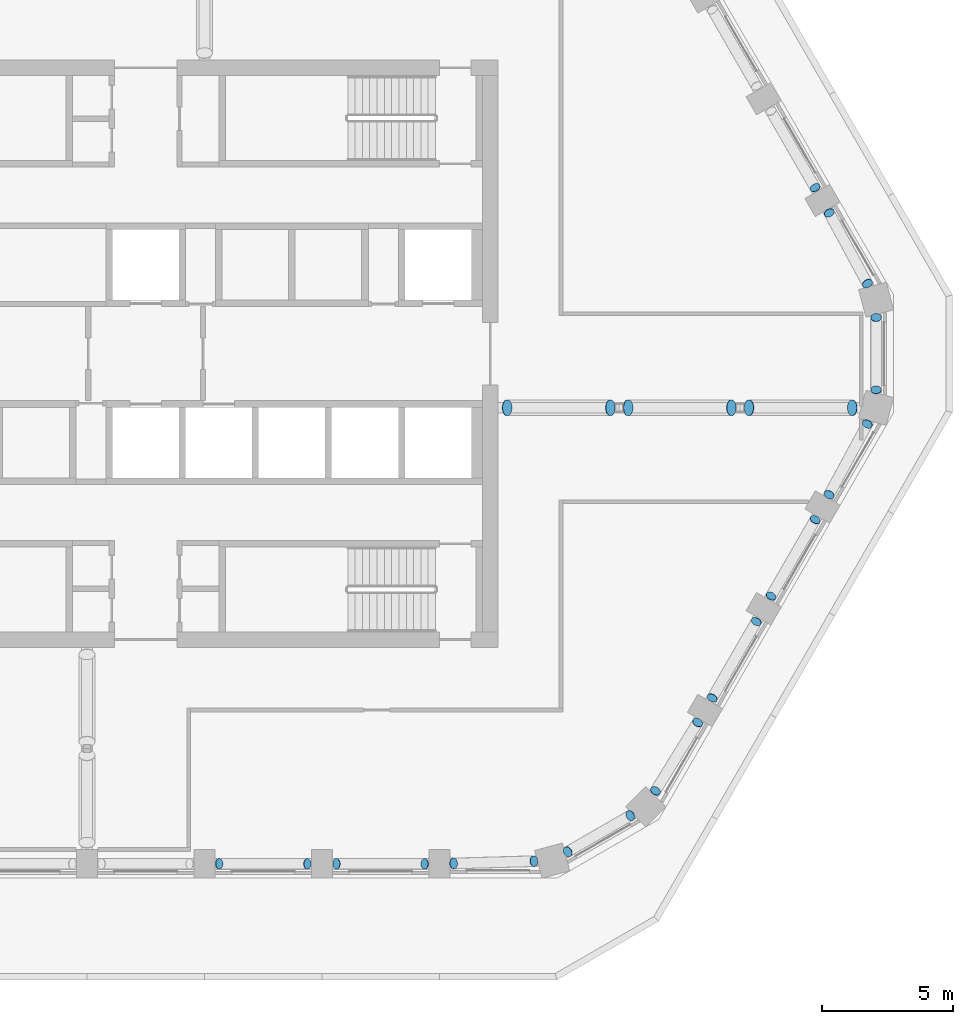
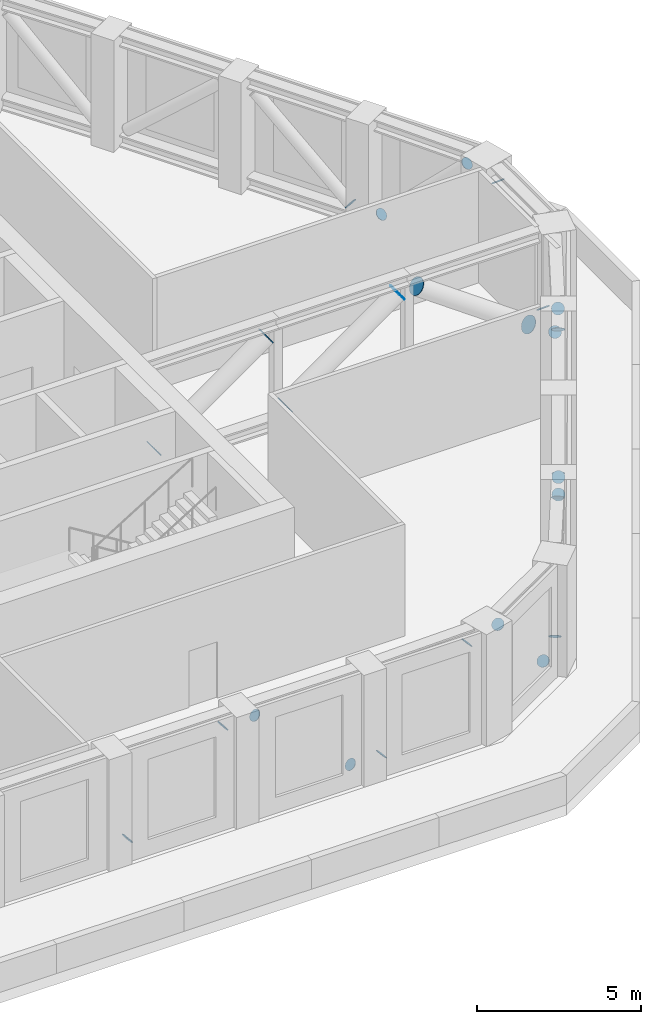
# One storey, part 12 of 15: 27 discrete accessories.
"""IFC4 building model written with IfcOpenShell, lengths in metres."""

from ifc_helpers import new_model, si_unit, direction, frame, origin, origin_2d, place, context, subcontext, project, spatial, circle, extrude, material, material_profile, profile_set, type_object, element, save


model = new_model("IFC4")

# Units and contexts
model_context = context("Model", 3, precision=1e-05, world=origin(), true_north=direction((0.0, 1.0)))
body_context = subcontext(model_context, "Body", "Model", "MODEL_VIEW")
ifc_project = project(units=[si_unit("LENGTHUNIT", "METRE"), si_unit("AREAUNIT", "SQUARE_METRE"), si_unit("VOLUMEUNIT", "CUBIC_METRE"), si_unit("PLANEANGLEUNIT", "RADIAN"), si_unit("MASSUNIT", "GRAM", prefix="KILO")], contexts=[model_context])

# Site, building, storey
site_placement = place(None, origin())
site = spatial("IfcSite", under=ifc_project, at=site_placement, CompositionType="ELEMENT")
building_placement = place(site_placement, origin())
building = spatial("IfcBuilding", under=site, at=building_placement, Name="Dhurran Vertical Campus", CompositionType="ELEMENT")
storey_placement = place(building_placement, frame((0.0, 0.0, 230.699951171875)))
storey = spatial("IfcBuildingStorey", under=building, at=storey_placement, Name="L57 Plant", CompositionType="ELEMENT", Elevation=230.699951171875)

# Discrete accessories
ifc_material_1 = material(Name="Steel S355J2", Category="steel")
ifc_material_profile_1 = material_profile(ifc_material_1, circle(Radius=0.203125, at=origin_2d()), Name="Tube end cap 406 x 20")
ifc_profile_set_1 = profile_set([ifc_material_profile_1], Name="Steel S355J2")
discrete_accessory_type_1 = type_object("IfcDiscreteAccessoryType", Name="Tube end cap 406 x 20", PredefinedType="USERDEFINED", material=ifc_profile_set_1)
discrete_accessory_1_placement = place(storey_placement, frame((2.819580078125, -19.53857421875, 0.586669921875), z_axis=(-0.742688444175, 0.0, -0.669637121797), x_axis=(0.0, -1.0, 0.0)))
element("IfcDiscreteAccessory", 1, at=discrete_accessory_1_placement, inside=storey, type_object=discrete_accessory_type_1, Name="EC1 belt L57 d04 capA", ObjectType="END CAP", PredefinedType="USERDEFINED", context=body_context, shape_type="SweptSolid", body=[
    extrude(circle(Radius=0.203125, at=origin_2d()), origin(), (0.0, 0.0, 1.0), 0.02001953125),
])
discrete_accessory_2_placement = place(storey_placement, frame((6.180419921875, -19.53857421875, 3.588623046875), z_axis=(0.748762225055, 0.0, 0.662838691033), x_axis=(0.0, 1.0, 0.0)))
element("IfcDiscreteAccessory", 2, at=discrete_accessory_2_placement, inside=storey, type_object=discrete_accessory_type_1, Name="EC1 belt L57 d04 capB", ObjectType="END CAP", PredefinedType="USERDEFINED", context=body_context, shape_type="SweptSolid", body=[
    extrude(circle(Radius=0.203125, at=origin_2d()), origin(), (0.0, 0.0, 1.0), 0.019775390625),
])
discrete_accessory_3_placement = place(storey_placement, frame((10.680419921875, -19.53857421875, 0.586669921875), z_axis=(0.742688444175, 0.0, -0.669637121797), x_axis=(0.0, 1.0, 0.0)))
element("IfcDiscreteAccessory", 3, at=discrete_accessory_3_placement, inside=storey, type_object=discrete_accessory_type_1, Name="EC1 belt L57 d05 capA", ObjectType="END CAP", PredefinedType="USERDEFINED", context=body_context, shape_type="SweptSolid", body=[
    extrude(circle(Radius=0.203125, at=origin_2d()), origin(), (0.0, 0.0, 1.0), 0.02001953125),
])
discrete_accessory_4_placement = place(storey_placement, frame((7.319580078125, -19.53857421875, 3.588623046875), z_axis=(-0.748762225055, 0.0, 0.662838691033), x_axis=(0.0, -1.0, 0.0)))
element("IfcDiscreteAccessory", 4, at=discrete_accessory_4_placement, inside=storey, type_object=discrete_accessory_type_1, Name="EC1 belt L57 d05 capB", ObjectType="END CAP", PredefinedType="USERDEFINED", context=body_context, shape_type="SweptSolid", body=[
    extrude(circle(Radius=0.203125, at=origin_2d()), origin(), (0.0, 0.0, 1.0), 0.019775390625),
])
for number, where, z_axis, x_axis, name in (
    (5, (11.796875, -19.522705078125, 0.579833984375), (-0.706896676656, -0.024375747471, -0.706896676656), (0.03446227584, -0.999405999354, 0.0), "EC1 belt L57 d06 capA"),
    (6, (14.857421875, -19.435302734375, 3.59521484375), (0.706896676656, 0.024375747471, 0.706896676656), (-0.03446227584, 0.999405999354, 0.0), "EC1 belt L57 d06 capB"),
):
    element("IfcDiscreteAccessory", number, at=place(storey_placement, frame(where, z_axis=z_axis, x_axis=x_axis)), inside=storey, type_object=discrete_accessory_type_1, Name=name, ObjectType="END CAP", PredefinedType="USERDEFINED", context=body_context, shape_type="SweptSolid", body=[
        extrude(circle(Radius=0.203125, at=origin_2d()), origin(), (0.0, 0.0, 1.0), 0.02001953125),
    ])
for number, where, z_axis, x_axis, name in (
    (7, (18.553466796875, -17.69189453125, 0.571533203125), (0.589367574947, 0.331519260908, -0.736709468684), (-0.490261239633, 0.871575537125, 0.0), "EC1 belt L57 d07 capA"),
    (8, (16.169921875, -19.068115234375, 3.603515625), (-0.589367574947, -0.331519260908, 0.736709468684), (0.490261239633, -0.871575537125, 0.0), "EC1 belt L57 d07 capB"),
):
    element("IfcDiscreteAccessory", number, at=place(storey_placement, frame(where, z_axis=z_axis, x_axis=x_axis)), inside=storey, type_object=discrete_accessory_type_1, Name=name, ObjectType="END CAP", PredefinedType="USERDEFINED", context=body_context, shape_type="SweptSolid", body=[
        extrude(circle(Radius=0.203125, at=origin_2d()), origin(), (0.0, 0.0, 1.0), 0.019775390625),
    ])
for number, where, z_axis, x_axis, name in (
    (9, (19.527587890625, -16.739013671875, 0.579833984375), (-0.367469397963, -0.600200016674, -0.710440836063), (0.852851304076, -0.522153859639, 0.0), "EC1 belt L57 d08 capA"),
    (10, (21.1337890625, -14.132080078125, 3.59521484375), (0.367469397963, 0.600200016674, 0.710440836063), (-0.852851304076, 0.522153859639, 0.0), "EC1 belt L57 d08 capB"),
    (11, (23.385986328125, -10.262451171875, 0.586669921875), (0.365581911, 0.645861376099, -0.670233503499), (-0.870256855071, 0.492598219852, 0.0), "EC1 belt L57 d09 capA"),
):
    element("IfcDiscreteAccessory", number, at=place(storey_placement, frame(where, z_axis=z_axis, x_axis=x_axis)), inside=storey, type_object=discrete_accessory_type_1, Name=name, ObjectType="END CAP", PredefinedType="USERDEFINED", context=body_context, shape_type="SweptSolid", body=[
        extrude(circle(Radius=0.203125, at=origin_2d()), origin(), (0.0, 0.0, 1.0), 0.02001953125),
    ])
discrete_accessory_5_placement = place(storey_placement, frame((21.70556640625, -13.173095703125, 3.588623046875), z_axis=(-0.371533053464, -0.643990626003, 0.668759496234), x_axis=(0.866185586049, -0.49972245349, 0.0)))
element("IfcDiscreteAccessory", 12, at=discrete_accessory_5_placement, inside=storey, type_object=discrete_accessory_type_1, Name="EC1 belt L57 d09 capB", ObjectType="END CAP", PredefinedType="USERDEFINED", context=body_context, shape_type="SweptSolid", body=[
    extrude(circle(Radius=0.203125, at=origin_2d()), origin(), (0.0, 0.0, 1.0), 0.019775390625),
])
discrete_accessory_6_placement = place(storey_placement, frame((23.95556640625, -9.27587890625, 0.586669921875), z_axis=(-0.365581911, -0.645861376099, -0.670233503499), x_axis=(0.870256855071, -0.492598219852, 0.0)))
element("IfcDiscreteAccessory", 13, at=discrete_accessory_6_placement, inside=storey, type_object=discrete_accessory_type_1, Name="EC1 belt L57 d10 capA", ObjectType="END CAP", PredefinedType="USERDEFINED", context=body_context, shape_type="SweptSolid", body=[
    extrude(circle(Radius=0.203125, at=origin_2d()), origin(), (0.0, 0.0, 1.0), 0.02001953125),
])
discrete_accessory_7_placement = place(storey_placement, frame((25.635986328125, -6.365478515625, 3.588623046875), z_axis=(0.3685770701, 0.651152823844, 0.663438726181), x_axis=(-0.870256855071, 0.492598219852, 0.0)))
element("IfcDiscreteAccessory", 14, at=discrete_accessory_7_placement, inside=storey, type_object=discrete_accessory_type_1, Name="EC1 belt L57 d10 capB", ObjectType="END CAP", PredefinedType="USERDEFINED", context=body_context, shape_type="SweptSolid", body=[
    extrude(circle(Radius=0.203125, at=origin_2d()), origin(), (0.0, 0.0, 1.0), 0.019775390625),
])
for number, where, z_axis, x_axis, name in (
    (15, (27.635009765625, -2.6962890625, 0.579833984375), (0.340830394523, 0.620798218596, -0.706005817226), (-0.87657855078, 0.481258812193, 0.0), "EC1 belt L57 d11 capA"),
    (16, (26.1806640625, -5.390625, 3.59521484375), (-0.340830394523, -0.620798218596, 0.706005817226), (0.87657855078, -0.481258812193, 0.0), "EC1 belt L57 d11 capB"),
):
    element("IfcDiscreteAccessory", number, at=place(storey_placement, frame(where, z_axis=z_axis, x_axis=x_axis)), inside=storey, type_object=discrete_accessory_type_1, Name=name, ObjectType="END CAP", PredefinedType="USERDEFINED", context=body_context, shape_type="SweptSolid", body=[
        extrude(circle(Radius=0.203125, at=origin_2d()), origin(), (0.0, 0.0, 1.0), 0.02001953125),
    ])
for number, where, z_axis, x_axis, name in (
    (17, (27.973388671875, -1.376220703125, 0.571533203125), (0.0, -0.675724628517, -0.737154140201), (1.0, 0.0, 0.0), "EC1 belt L57 d12 capA"),
    (18, (27.973388671875, 1.376220703125, 3.603515625), (0.0, 0.675724628517, 0.737154140201), (-1.0, 0.0, 0.0), "EC1 belt L57 d12 capB"),
):
    element("IfcDiscreteAccessory", number, at=place(storey_placement, frame(where, z_axis=z_axis, x_axis=x_axis)), inside=storey, type_object=discrete_accessory_type_1, Name=name, ObjectType="END CAP", PredefinedType="USERDEFINED", context=body_context, shape_type="SweptSolid", body=[
        extrude(circle(Radius=0.203125, at=origin_2d()), origin(), (0.0, 0.0, 1.0), 0.019775390625),
    ])
for number, where, z_axis, x_axis, name in (
    (19, (26.1806640625, 5.390625, 0.579833984375), (-0.340830394523, 0.620798218596, -0.706005817226), (-0.87657855078, -0.481258812193, 0.0), "EC1 belt L57 d13 capA"),
    (20, (27.635009765625, 2.6962890625, 3.59521484375), (0.340830394523, -0.620798218596, 0.706005817226), (0.87657855078, 0.481258812193, 0.0), "EC1 belt L57 d13 capB"),
    (21, (25.635986328125, 6.365478515625, 0.586669921875), (0.365581911, -0.645861376099, -0.670233503499), (0.870256855071, 0.492598219852, 0.0), "EC1 belt L57 d14 capA"),
):
    element("IfcDiscreteAccessory", number, at=place(storey_placement, frame(where, z_axis=z_axis, x_axis=x_axis)), inside=storey, type_object=discrete_accessory_type_1, Name=name, ObjectType="END CAP", PredefinedType="USERDEFINED", context=body_context, shape_type="SweptSolid", body=[
        extrude(circle(Radius=0.203125, at=origin_2d()), origin(), (0.0, 0.0, 1.0), 0.02001953125),
    ])
ifc_material_2 = material(Name="Steel S355J2", Category="steel")
ifc_material_profile_2 = material_profile(ifc_material_2, circle(Radius=0.304931640625, at=origin_2d()), Name="Tube end cap 610 x 20")
ifc_profile_set_2 = profile_set([ifc_material_profile_2], Name="Steel S355J2")
discrete_accessory_type_2 = type_object("IfcDiscreteAccessoryType", Name="Tube end cap 610 x 20", PredefinedType="USERDEFINED", material=ifc_profile_set_2)
for number, where, z_axis, x_axis, name in (
    (22, (13.84814453125, -2.069580078125, 0.683349609375), (-0.808736084303, 0.0, -0.588171697675), (0.0, -1.0, 0.0), "EC1 outrigger L57 OR-E d0 capA"),
    (23, (17.78662109375, -2.069580078125, 3.49169921875), (0.808736084303, 0.0, 0.588171697675), (0.0, 1.0, 0.0), "EC1 outrigger L57 OR-E d0 capB"),
    (24, (18.48291015625, -2.069580078125, 0.683349609375), (-0.808736084303, 0.0, -0.588171697675), (0.0, -1.0, 0.0), "EC1 outrigger L57 OR-E d1 capA"),
    (25, (22.421142578125, -2.069580078125, 3.49169921875), (0.812912862639, 0.0, 0.582385334428), (0.0, 1.0, 0.0), "EC1 outrigger L57 OR-E d1 capB"),
    (26, (27.055908203125, -2.069580078125, 0.683349609375), (0.808736084303, 0.0, -0.588171697675), (0.0, 1.0, 0.0), "EC1 outrigger L57 OR-E d2 capA"),
    (27, (23.11767578125, -2.069580078125, 3.49169921875), (-0.812912862639, 0.0, 0.582385334428), (0.0, -1.0, 0.0), "EC1 outrigger L57 OR-E d2 capB"),
):
    element("IfcDiscreteAccessory", number, at=place(storey_placement, frame(where, z_axis=z_axis, x_axis=x_axis)), inside=storey, type_object=discrete_accessory_type_2, Name=name, ObjectType="END CAP", PredefinedType="USERDEFINED", context=body_context, shape_type="SweptSolid", body=[
        extrude(circle(Radius=0.304931640625, at=origin_2d()), origin(), (0.0, 0.0, 1.0), 0.02001953125),
    ])

save(model, "model.ifc")
